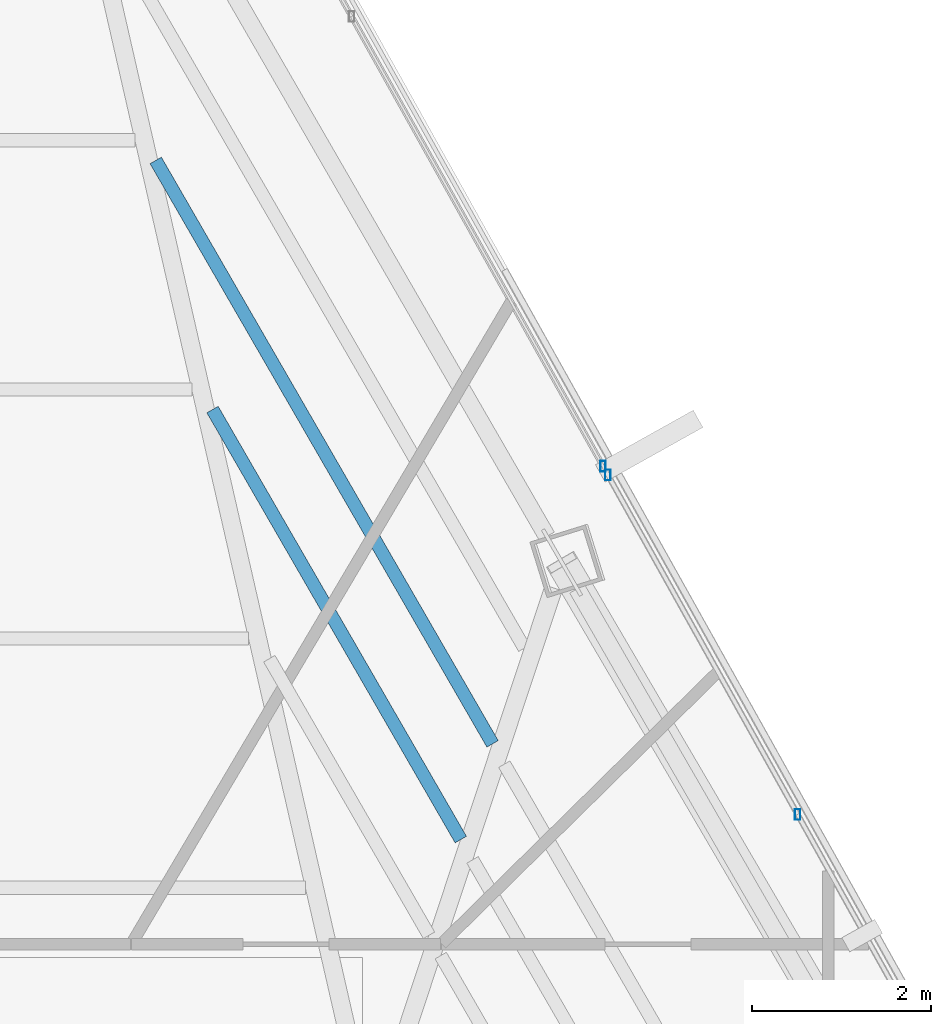
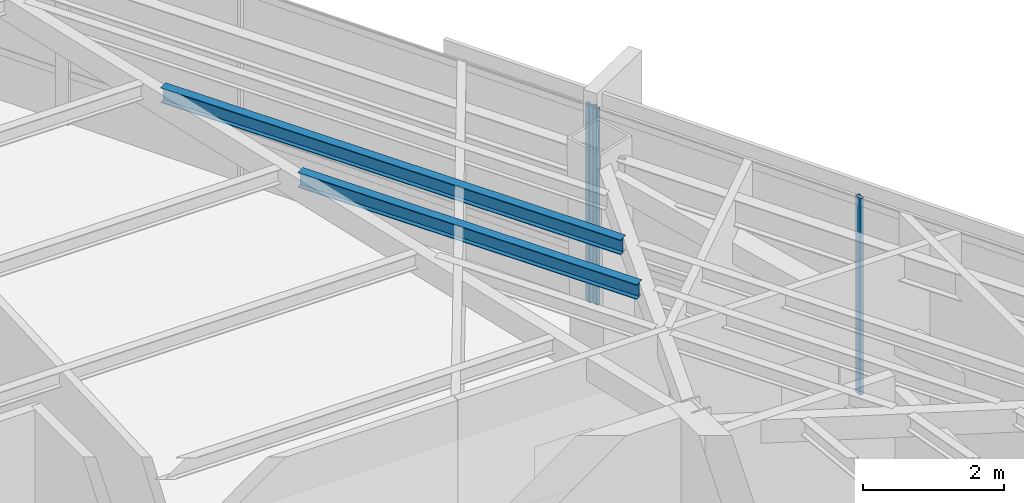
# One storey, part 30 of 44: 3 members, 2 beams, 2 elements without a shape of their own.
"""IFC4 building model written with IfcOpenShell, lengths in metres."""

from ifc_helpers import new_model, si_unit, direction, frame, origin, origin_2d, place, context, subcontext, project, spatial, hollow_rectangle, i_section, extrude, source, transform, mapped, material, material_profile, profile_set, type_object, type_shapes, element, aggregate, save


model = new_model("IFC4")

# Units and contexts
model_context = context("Model", 3, precision=1e-05, world=origin(), true_north=direction((0.0, 1.0)))
body_context = subcontext(model_context, "Body", "Model", "MODEL_VIEW")
ifc_project = project(units=[si_unit("LENGTHUNIT", "METRE"), si_unit("AREAUNIT", "SQUARE_METRE"), si_unit("VOLUMEUNIT", "CUBIC_METRE"), si_unit("PLANEANGLEUNIT", "RADIAN"), si_unit("MASSUNIT", "GRAM", prefix="KILO")], contexts=[model_context])

# Site, building, storey
site_placement = place(None, origin())
site = spatial("IfcSite", under=ifc_project, at=site_placement, CompositionType="ELEMENT")
building_placement = place(site_placement, origin())
building = spatial("IfcBuilding", under=site, at=building_placement, Name="Caelisora Broadcast Tower", CompositionType="ELEMENT")
storey_placement = place(building_placement, frame((0.0, 0.0, 259.050048828125)))
storey = spatial("IfcBuildingStorey", under=building, at=storey_placement, Name="L68", CompositionType="ELEMENT", Elevation=259.050048828125)

# Beams
ifc_material_1 = material(Name="Steel Grade 350 (AS/NZS 3679.1)", Category="steel")
ifc_material_profile_1 = material_profile(ifc_material_1, i_section(OverallWidth=0.14599609375, OverallDepth=0.256103515625, WebThickness=0.00634765625, FlangeThickness=0.010986328125, at=origin_2d()), Name="Steel Grade 350 (AS/NZS 3679.1)")
ifc_profile_set_1 = profile_set([ifc_material_profile_1], Name="Steel Grade 350 (AS/NZS 3679.1)")
beam_type = type_object("IfcBeamType", Name="SB04", PredefinedType="JOIST", material=ifc_profile_set_1)
shared_shape_1 = source(origin(), body_context, "Body", "SweptSolid", [
    extrude(i_section(OverallWidth=0.14599609375, OverallDepth=0.256103515625, WebThickness=0.00634765625, FlangeThickness=0.010986328125, at=origin_2d()), origin(), (0.0, 0.0, 1.0), 5.5419921875),
])
beam_1_placement = place(storey_placement, frame((46.498779296875, 33.318115234375, 3.27197265625), z_axis=(-0.499995739832, 0.86602786338, 0.0), x_axis=(-0.86602786338, -0.499995739832, 0.0)))
element("IfcBeam", 1, at=beam_1_placement, inside=storey, type_object=beam_type, Name="L68 beam SB04", PredefinedType="JOIST", context=body_context, shape_type="MappedRepresentation", body=[
    mapped(shared_shape_1, transform((0.0, 0.0, 0.0), scale=1.0)),
])
shared_shape_2 = source(origin(), body_context, "Body", "SweptSolid", [
    extrude(i_section(OverallWidth=0.14599609375, OverallDepth=0.256103515625, WebThickness=0.00634765625, FlangeThickness=0.010986328125, at=origin_2d()), origin(), (0.0, 0.0, 1.0), 7.519287109375),
])
type_shapes(beam_type, [shared_shape_1, shared_shape_2])
beam_2_placement = place(storey_placement, frame((46.853515625, 34.386474609375, 3.27197265625), z_axis=(-0.500008188502, 0.866020676099, 0.0), x_axis=(-0.866020676099, -0.500008188502, 0.0)))
element("IfcBeam", 2, at=beam_2_placement, inside=storey, type_object=beam_type, Name="L68 beam SB04", PredefinedType="JOIST", context=body_context, shape_type="MappedRepresentation", body=[
    mapped(shared_shape_2, transform((0.0, 0.0, 0.0), scale=1.0)),
])

# Curtain wall, member
ifc_material_2 = material(Name="Unitised Aluminium and Low-E Glass Curtain Wall", Category="glass")
curtain_wall_type_1 = type_object("IfcCurtainWallType", Name="CW-Z5", PredefinedType="NOTDEFINED", material=ifc_material_2)
curtain_wall_1_placement = place(storey_placement, origin())
curtain_wall_1 = element("IfcCurtainWall", 3, at=curtain_wall_1_placement, inside=storey, type_object=curtain_wall_type_1, Name="L68 curtain wall CW-Z5", PredefinedType="NOTDEFINED")
ifc_material_3 = material(Name="Aluminium 6063-T6 Anodised Terracotta Bronze", Category="aluminium")
ifc_material_profile_2 = material_profile(ifc_material_3, hollow_rectangle(XDim=0.06005859375, YDim=0.1201171875, WallThickness=0.0029296875, at=origin_2d()), Name="Aluminium 6063-T6 Anodised Terracotta Bronze")
ifc_profile_set_2 = profile_set([ifc_material_profile_2], Name="Aluminium 6063-T6 Anodised Terracotta Bronze")
member_type = type_object("IfcMemberType", Name="CWM-04", PredefinedType="MULLION", material=ifc_profile_set_2)
shared_shape_3 = source(origin(), body_context, "Body", "SweptSolid", [
    extrude(hollow_rectangle(XDim=0.06005859375, YDim=0.1201171875, WallThickness=0.0029296875, at=origin_2d()), origin(), (0.0, 0.0, 1.0), 3.39990234375),
])
type_shapes(member_type, [shared_shape_3])
member_1_placement = place(storey_placement, frame((48.086181640625, 37.484130859375, 0.0), z_axis=(0.0, 0.0, 1.0), x_axis=(1.0, 0.0, 0.0)))
member_1 = element("IfcMember", 4, at=member_1_placement, type_object=member_type, Name="L68-CW-B01 mullion #3", PredefinedType="MULLION", context=body_context, shape_type="MappedRepresentation", body=[
    mapped(shared_shape_3, transform((0.0, 0.0, 0.0), scale=1.0)),
])
aggregate(curtain_wall_1, [member_1])

# Curtain wall, members
ifc_material_4 = material(Name="Unitised Aluminium Insulated Shadow-Box Spandrel Curtain Wall", Category="aluminium")
curtain_wall_type_2 = type_object("IfcCurtainWallType", Name="CW-SP3", PredefinedType="NOTDEFINED", material=ifc_material_4)
curtain_wall_2_placement = place(storey_placement, origin())
curtain_wall_2 = element("IfcCurtainWall", 5, at=curtain_wall_2_placement, inside=storey, type_object=curtain_wall_type_2, Name="L68 curtain wall CW-SP3", PredefinedType="NOTDEFINED")
member_2_placement = place(storey_placement, frame((48.139892578125, 37.38818359375, 0.0), z_axis=(0.0, 0.0, 1.0), x_axis=(1.0, 0.0, 0.0)))
member_2 = element("IfcMember", 6, at=member_2_placement, type_object=member_type, Name="L68-CW-B02 mullion #0", PredefinedType="MULLION", context=body_context, shape_type="MappedRepresentation", body=[
    mapped(shared_shape_3, transform((0.0, 0.0, 0.0), scale=1.0)),
])
member_3_placement = place(storey_placement, frame((50.2578125, 33.599365234375, 0.0), z_axis=(0.0, 0.0, 1.0), x_axis=(1.0, 0.0, 0.0)))
member_3 = element("IfcMember", 7, at=member_3_placement, type_object=member_type, Name="L68-CW-B02 mullion #1", PredefinedType="MULLION", context=body_context, shape_type="MappedRepresentation", body=[
    mapped(shared_shape_3, transform((0.0, 0.0, 0.0), scale=1.0)),
])
aggregate(curtain_wall_2, [member_2, member_3])

save(model, "model.ifc")
